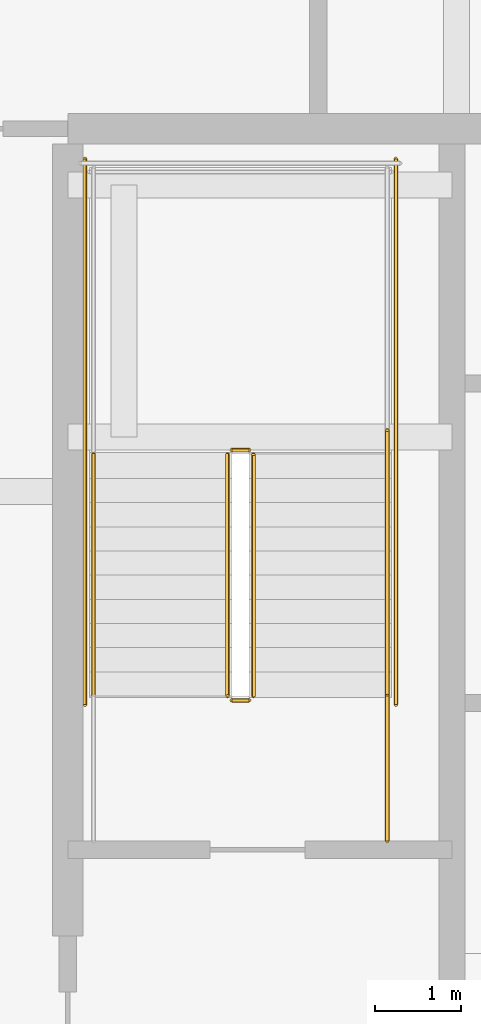
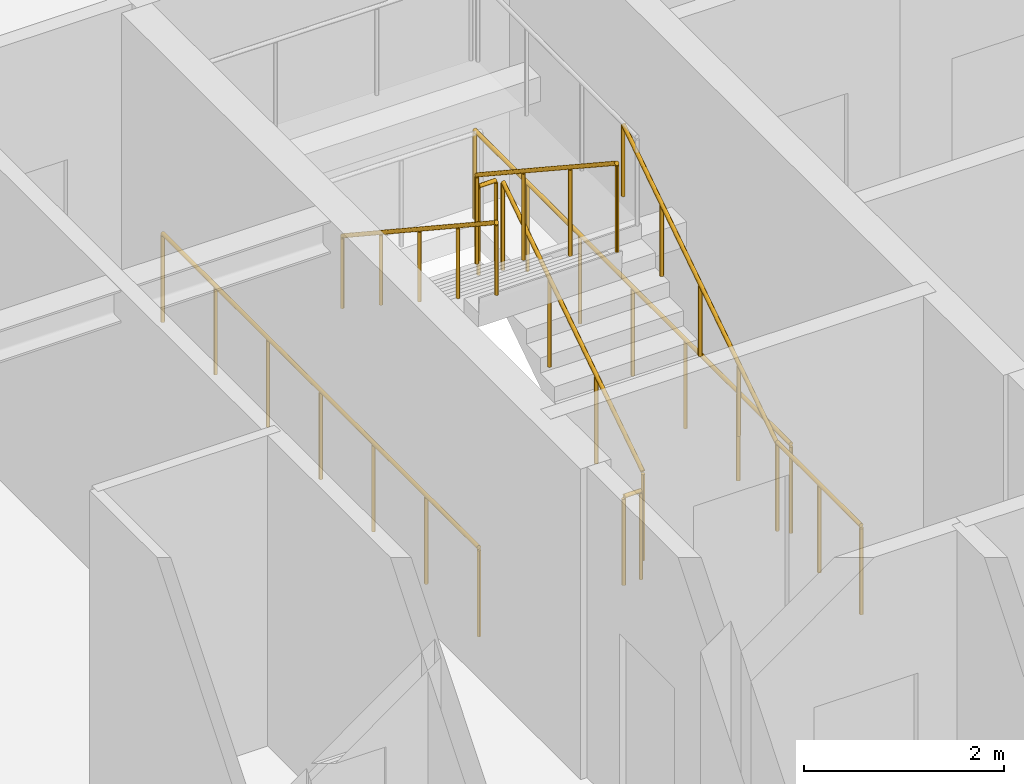
# One storey, part 35 of 38: 9 railings.
"""IFC4 building model written with IfcOpenShell, lengths in metres."""

import ifcopenshell
import ifcopenshell.guid

model = None  # the IFC model being written
_history = None  # IfcOwnerHistory: only IFC2X3 demands one
_inside = {}  # id of a spatial element -> (the spatial element, [elements in it])
_under = {}  # id of a project, library or spatial element -> (it, [spatial elements below it])
_declared = {}  # id of a project -> (the project, [libraries it declares])
_typed = {}  # id of a type object -> (the type object, [elements of that type])
_made_of = {}  # id of a material, layer set ... -> (it, [elements and type objects made of it])


def new_model(schema):
    """Start an empty IFC model of exactly this schema.

    Asked for "IFC4X3", IfcOpenShell would pick the latest addendum, in which some entities
    have other attributes; the version numbers below select the first issue.
    IFC2X3 requires an IfcOwnerHistory on every rooted entity: one is made here for all.
    """
    global model, _history
    if schema == "IFC4X3":
        model = ifcopenshell.file(schema_version=(4, 3, 0, 0))
    else:
        model = ifcopenshell.file(schema=schema)
    _inside.clear()
    _under.clear()
    _declared.clear()
    _typed.clear()
    _made_of.clear()
    _history = None
    if model.schema == "IFC2X3":
        org = make("IfcOrganization", Name="unknown")
        user = make(
            "IfcPersonAndOrganization",
            ThePerson=make("IfcPerson", FamilyName="unknown"),
            TheOrganization=org,
        )
        app = make(
            "IfcApplication",
            ApplicationDeveloper=org,
            Version="unknown",
            ApplicationFullName="unknown",
            ApplicationIdentifier="unknown",
        )
        _history = make(
            "IfcOwnerHistory",
            OwningUser=user,
            OwningApplication=app,
            ChangeAction="ADDED",
            CreationDate=0,
        )
    return model


def make(cls, **values):
    """One entity of the class cls with the attributes given. An attribute that is None is left unset."""
    return model.create_entity(
        cls, **{name: value for name, value in values.items() if value is not None}
    )


def rooted(cls, **values):
    """An entity with a GlobalId (a new one), such as an element, a storey or a relation."""
    return make(cls, GlobalId=ifcopenshell.guid.new(), OwnerHistory=_history, **values)


def si_unit(unit_type, name, prefix=None):
    """IfcSIUnit, for example si_unit("LENGTHUNIT", "METRE", prefix="MILLI")."""
    return make("IfcSIUnit", UnitType=unit_type, Prefix=prefix, Name=name)


def assignment(units):
    """IfcUnitAssignment: the units of a project."""
    return None if units is None else make("IfcUnitAssignment", Units=units)


def point(xyz):
    """IfcCartesianPoint."""
    return None if xyz is None else make("IfcCartesianPoint", Coordinates=xyz)


def direction(xyz):
    """IfcDirection."""
    return None if xyz is None else make("IfcDirection", DirectionRatios=xyz)


def frame(location, z_axis=None, x_axis=None):
    """IfcAxis2Placement3D, a coordinate frame: its origin and axes. An axis left out is left unset."""
    return make(
        "IfcAxis2Placement3D",
        Location=point(location),
        Axis=direction(z_axis),
        RefDirection=direction(x_axis),
    )


def frame_2d(location, x_axis=None):
    """IfcAxis2Placement2D, a coordinate frame in the plane: its origin and x axis."""
    return make(
        "IfcAxis2Placement2D", Location=point(location), RefDirection=direction(x_axis)
    )


def origin():
    """The frame at (0, 0, 0) with its axes left unset."""
    return frame((0.0, 0.0, 0.0))


def origin_2d():
    """The frame at (0, 0) in the plane with its x axis left unset."""
    return frame_2d((0.0, 0.0))


def place(relative_to, where):
    """IfcLocalPlacement: puts the frame where relative to a parent placement (None: the world)."""
    return make(
        "IfcLocalPlacement", PlacementRelTo=relative_to, RelativePlacement=where
    )


def context(
    kind, dimensions, precision=None, world=None, true_north=None, identifier=None
):
    """IfcGeometricRepresentationContext, for example the 3D "Model" context."""
    return make(
        "IfcGeometricRepresentationContext",
        ContextIdentifier=identifier,
        ContextType=kind,
        CoordinateSpaceDimension=dimensions,
        Precision=precision,
        WorldCoordinateSystem=world,
        TrueNorth=true_north,
    )


def subcontext(parent, identifier, kind, view, scale=None):
    """IfcGeometricRepresentationSubContext, for example "Body" below "Model"."""
    return make(
        "IfcGeometricRepresentationSubContext",
        ContextIdentifier=identifier,
        ContextType=kind,
        ParentContext=parent,
        TargetScale=scale,
        TargetView=view,
    )


def project(units=None, contexts=None):
    """IfcProject with its units and contexts."""
    return rooted(
        "IfcProject",
        Name="project",
        RepresentationContexts=contexts,
        UnitsInContext=assignment(units),
    )


def spatial(cls, under=None, at=None, **own):
    """A site, building, storey or space (cls), placed at a placement, below another one or the project."""
    s = rooted(cls, ObjectPlacement=at, **own)
    if under is not None:
        _under.setdefault(under.id(), (under, []))[1].append(s)
    return s


def profile(cls, at=None, kind="AREA", **sizes):
    """A parametric profile (cls). Its sizes go by their IFC names, for example OverallWidth=200.0."""
    return make(cls, ProfileType=kind, Position=at, **sizes)


def circle(**sizes):
    """IfcCircleProfileDef."""
    return profile("IfcCircleProfileDef", **sizes)


def extrude(swept, where, along, depth):
    """IfcExtrudedAreaSolid: the profile swept, set in the frame where, extruded along a direction by depth."""
    return make(
        "IfcExtrudedAreaSolid",
        SweptArea=swept,
        Position=where,
        ExtrudedDirection=direction(along),
        Depth=depth,
    )


def shape(context_of_items, identifier, shape_type, items):
    """IfcShapeRepresentation: the items that make up one representation, for example the "Body"."""
    return make(
        "IfcShapeRepresentation",
        ContextOfItems=context_of_items,
        RepresentationIdentifier=identifier,
        RepresentationType=shape_type,
        Items=items,
    )


def material(Name=None, Category=None):
    """IfcMaterial."""
    return make("IfcMaterial", Name=Name, Category=Category)


def made_of(thing, what):
    """Note that an element or type object is made of a material, layer set ...; save() writes the relation."""
    if what is not None:
        _made_of.setdefault(what.id(), (what, []))[1].append(thing)
    return thing


def type_object(cls, material=None, **own):
    """A type object (cls), such as IfcWallType, which elements share."""
    return made_of(rooted(cls, **own), material)


def element(
    cls,
    number,
    at=None,
    inside=None,
    cuts=None,
    type_object=None,
    material=None,
    context=None,
    identifier="Body",
    shape_type=None,
    held_by="IfcProductDefinitionShape",
    body=None,
    shapes=None,
    **own,
):
    """One element of the class cls, such as IfcWall. Its Tag is "e" and its number.

    at: its placement. inside: the storey or other place that contains it. cuts: it is an
    opening in that element (IfcRelVoidsElement). A single representation is given by context,
    identifier, shape_type and body (its items); several are given by shapes. held_by: the class
    of the entity that holds the representations. save() writes the other relations.
    """
    e = rooted(cls, Tag="e%d" % number, ObjectPlacement=at, **own)
    if body is not None:
        shapes = [shape(context, identifier, shape_type, body)]
    if shapes is not None:
        e.Representation = make(held_by, Representations=shapes)
    if inside is not None:
        _inside.setdefault(inside.id(), (inside, []))[1].append(e)
    if cuts is not None:
        rooted(
            "IfcRelVoidsElement", RelatingBuildingElement=cuts, RelatedOpeningElement=e
        )
    if type_object is not None:
        _typed.setdefault(type_object.id(), (type_object, []))[1].append(e)
    return made_of(e, material)


def aggregate(whole, parts):
    """IfcRelAggregates: a whole, such as a stair, and the parts it consists of."""
    return rooted("IfcRelAggregates", RelatingObject=whole, RelatedObjects=parts)


def save(model, path):
    """Write the relations noted so far, then the file.

    IfcRelAggregates (storeys below a building ...), IfcRelContainedInSpatialStructure (elements
    in a storey), IfcRelDefinesByType, IfcRelAssociatesMaterial and IfcRelDeclares: one each for
    every whole, place, type object, material and project.
    """
    for whole, parts in _under.values():
        aggregate(whole, parts)
    for where, things in _inside.values():
        rooted(
            "IfcRelContainedInSpatialStructure",
            RelatedElements=things,
            RelatingStructure=where,
        )
    for kind, things in _typed.values():
        rooted("IfcRelDefinesByType", RelatedObjects=things, RelatingType=kind)
    for what, things in _made_of.values():
        rooted("IfcRelAssociatesMaterial", RelatedObjects=things, RelatingMaterial=what)
    for by, libraries in _declared.values():
        rooted("IfcRelDeclares", RelatingContext=by, RelatedDefinitions=libraries)
    model.write(path)


model = new_model("IFC4")

# Units and contexts
model_context = context("Model", 3, precision=1e-05, world=origin(), true_north=direction((0.0, 1.0)))
body_context = subcontext(model_context, "Body", "Model", "MODEL_VIEW")
ifc_project = project(units=[si_unit("LENGTHUNIT", "METRE"), si_unit("AREAUNIT", "SQUARE_METRE"), si_unit("VOLUMEUNIT", "CUBIC_METRE"), si_unit("PLANEANGLEUNIT", "RADIAN"), si_unit("MASSUNIT", "GRAM", prefix="KILO")], contexts=[model_context])

# Site, building, storey
site_placement = place(None, origin())
site = spatial("IfcSite", under=ifc_project, at=site_placement, CompositionType="ELEMENT")
building_placement = place(site_placement, origin())
building = spatial("IfcBuilding", under=site, at=building_placement, Name="Serunith Strait Residences", CompositionType="ELEMENT")
storey_placement = place(building_placement, frame((0.0, 0.0, 321.800048828125)))
storey = spatial("IfcBuildingStorey", under=building, at=storey_placement, Name="L80", CompositionType="ELEMENT", Elevation=321.800048828125)

# Railings
ifc_material = material(Name="Brushed stainless steel 316L", Category="steel")
railing_type_1 = type_object("IfcRailingType", Name="RLG-STAIR-GUARD", PredefinedType="BALUSTRADE", material=ifc_material)
railing_1_placement = place(storey_placement, frame((25.550048828125, 27.030029296875, 0.18408203125)))
element("IfcRailing", 1, at=railing_1_placement, inside=storey, type_object=railing_type_1, Name="L80 ST-1 stair guard 1", PredefinedType="BALUSTRADE", context=body_context, shape_type="SweptSolid", body=[
    extrude(circle(Radius=0.02392578125, at=origin_2d()), frame((0.0, 0.001708984375, 1.0771484375), z_axis=(0.0, 0.835597507184, 0.549342157483), x_axis=(-1.0, 0.0, 0.0)), (0.0, 0.0, 1.0), 3.346923828125),
    extrude(circle(Radius=0.02099609375, at=origin_2d()), origin(), (0.0, 0.0, 1.0), 1.050048828125),
    extrude(circle(Radius=0.02099609375, at=origin_2d()), frame((0.0, 0.933349609375, 0.613525390625)), (0.0, 0.0, 1.0), 1.050048828125),
    extrude(circle(Radius=0.02099609375, at=origin_2d()), frame((0.0, 1.86669921875, 1.227294921875)), (0.0, 0.0, 1.0), 1.050048828125),
    extrude(circle(Radius=0.02099609375, at=origin_2d()), frame((0.0, 2.800048828125, 1.8408203125)), (0.0, 0.0, 1.0), 1.050048828125),
])
railing_2_placement = place(storey_placement, frame((25.5, 29.8798828125, 2.02490234375)))
element("IfcRailing", 2, at=railing_2_placement, inside=storey, type_object=railing_type_1, Name="L80 ST-1 stair guard 2", PredefinedType="BALUSTRADE", context=body_context, shape_type="SweptSolid", body=[
    extrude(circle(Radius=0.02392578125, at=origin_2d()), frame((-0.001953125, 0.0, 1.076171875), z_axis=(-1.0, 0.0, 0.0), x_axis=(0.0, -1.0, 0.0)), (0.0, 0.0, 1.0), 0.196044921875),
    extrude(circle(Radius=0.02099609375, at=origin_2d()), origin(), (0.0, 0.0, 1.0), 1.050048828125),
    extrude(circle(Radius=0.02099609375, at=origin_2d()), frame((-0.199951171875, 0.0, 0.0)), (0.0, 0.0, 1.0), 1.050048828125),
])
railing_3_placement = place(storey_placement, frame((25.25, 29.830078125, 2.208984375)))
element("IfcRailing", 3, at=railing_3_placement, inside=storey, type_object=railing_type_1, Name="L80 ST-1 stair guard 6", PredefinedType="BALUSTRADE", context=body_context, shape_type="SweptSolid", body=[
    extrude(circle(Radius=0.02392578125, at=origin_2d()), frame((0.0, -0.001708984375, 1.0771484375), z_axis=(0.0, -0.83556406348, 0.549393024911), x_axis=(1.0, 0.0, 0.0)), (0.0, 0.0, 1.0), 3.34716796875),
    extrude(circle(Radius=0.02099609375, at=origin_2d()), origin(), (0.0, 0.0, 1.0), 1.050048828125),
    extrude(circle(Radius=0.02099609375, at=origin_2d()), frame((0.0, -0.933349609375, 0.61376953125)), (0.0, 0.0, 1.0), 1.050048828125),
    extrude(circle(Radius=0.02099609375, at=origin_2d()), frame((0.0, -1.86669921875, 1.227294921875)), (0.0, 0.0, 1.0), 1.050048828125),
    extrude(circle(Radius=0.02099609375, at=origin_2d()), frame((0.0, -2.800048828125, 1.841064453125)), (0.0, 0.0, 1.0), 1.050048828125),
])
railing_4_placement = place(storey_placement, frame((25.5, 26.97998046875, 0.0)))
element("IfcRailing", 4, at=railing_4_placement, inside=storey, type_object=railing_type_1, Name="L80 ST-1 stair guard 7", PredefinedType="BALUSTRADE", context=body_context, shape_type="SweptSolid", body=[
    extrude(circle(Radius=0.02392578125, at=origin_2d()), frame((-0.001953125, 0.0, 1.076171875), z_axis=(-1.0, 0.0, 0.0), x_axis=(0.0, -1.0, 0.0)), (0.0, 0.0, 1.0), 0.196044921875),
    extrude(circle(Radius=0.02099609375, at=origin_2d()), origin(), (0.0, 0.0, 1.0), 1.050048828125),
    extrude(circle(Radius=0.02099609375, at=origin_2d()), frame((-0.199951171875, 0.0, 0.0)), (0.0, 0.0, 1.0), 1.050048828125),
])
railing_5_placement = place(storey_placement, frame((27.10009765625, 25.35009765625, 0.0)))
element("IfcRailing", 5, at=railing_5_placement, inside=storey, type_object=railing_type_1, Name="L80 ST-1 stair guard 8", PredefinedType="BALUSTRADE", context=body_context, shape_type="SweptSolid", body=[
    extrude(circle(Radius=0.02392578125, at=origin_2d()), frame((0.0, 0.001953125, 1.076171875), z_axis=(0.0, 1.0, 0.0), x_axis=(-1.0, 0.0, 0.0)), (0.0, 0.0, 1.0), 1.676025390625),
    extrude(circle(Radius=0.02099609375, at=origin_2d()), origin(), (0.0, 0.0, 1.0), 1.050048828125),
    extrude(circle(Radius=0.02099609375, at=origin_2d()), frame((0.0, 0.83984375, 0.0)), (0.0, 0.0, 1.0), 1.050048828125),
    extrude(circle(Radius=0.02099609375, at=origin_2d()), frame((0.0, 1.679931640625, 0.0)), (0.0, 0.0, 1.0), 1.050048828125),
])
for number, where, name in (
    (6, (27.199951171875, 26.929931640625, 0.0), "L80 ST-1 stair guard 10"),
    (7, (23.60009765625, 26.929931640625, 0.0), "L80 ST-1 stair guard 11"),
):
    element("IfcRailing", number, at=place(storey_placement, frame(where)), inside=storey, type_object=railing_type_1, Name=name, PredefinedType="BALUSTRADE", context=body_context, shape_type="SweptSolid", body=[
        extrude(circle(Radius=0.02392578125, at=origin_2d()), frame((0.0, 0.001953125, 1.076171875), z_axis=(0.0, 1.0, 0.0), x_axis=(-1.0, 0.0, 0.0)), (0.0, 0.0, 1.0), 6.316162109375),
        extrude(circle(Radius=0.02099609375, at=origin_2d()), origin(), (0.0, 0.0, 1.0), 1.050048828125),
        extrude(circle(Radius=0.02099609375, at=origin_2d()), frame((0.0, 1.05322265625, 0.0)), (0.0, 0.0, 1.0), 1.050048828125),
        extrude(circle(Radius=0.02099609375, at=origin_2d()), frame((0.0, 2.106689453125, 0.0)), (0.0, 0.0, 1.0), 1.050048828125),
        extrude(circle(Radius=0.02099609375, at=origin_2d()), frame((0.0, 3.16015625, 0.0)), (0.0, 0.0, 1.0), 1.050048828125),
        extrude(circle(Radius=0.02099609375, at=origin_2d()), frame((0.0, 4.21337890625, 0.0)), (0.0, 0.0, 1.0), 1.050048828125),
        extrude(circle(Radius=0.02099609375, at=origin_2d()), frame((0.0, 5.2666015625, 0.0)), (0.0, 0.0, 1.0), 1.050048828125),
        extrude(circle(Radius=0.02099609375, at=origin_2d()), frame((0.0, 6.320068359375, 0.0)), (0.0, 0.0, 1.0), 1.050048828125),
    ])
railing_type_2 = type_object("IfcRailingType", Name="RLG-STAIR-HR", PredefinedType="HANDRAIL", material=ifc_material)
railing_6_placement = place(storey_placement, frame((27.10009765625, 27.030029296875, 0.18408203125)))
element("IfcRailing", 8, at=railing_6_placement, inside=storey, type_object=railing_type_2, Name="L80 ST-1 stair handrail 1", PredefinedType="HANDRAIL", context=body_context, shape_type="SweptSolid", body=[
    extrude(circle(Radius=0.02392578125, at=origin_2d()), frame((0.0, 0.001708984375, 0.876953125), z_axis=(0.0, 0.83496096917, 0.550309167616), x_axis=(-1.0, 0.0, 0.0)), (0.0, 0.0, 1.0), 3.684814453125),
    extrude(circle(Radius=0.02099609375, at=origin_2d()), origin(), (0.0, 0.0, 1.0), 0.849853515625),
    extrude(circle(Radius=0.02099609375, at=origin_2d()), frame((0.0, 0.77001953125, 0.507568359375)), (0.0, 0.0, 1.0), 0.849853515625),
    extrude(circle(Radius=0.02099609375, at=origin_2d()), frame((0.0, 1.5400390625, 1.01513671875)), (0.0, 0.0, 1.0), 0.849853515625),
    extrude(circle(Radius=0.02099609375, at=origin_2d()), frame((0.0, 2.31005859375, 1.5224609375)), (0.0, 0.0, 1.0), 0.849853515625),
    extrude(circle(Radius=0.02099609375, at=origin_2d()), frame((0.0, 3.080078125, 2.030029296875)), (0.0, 0.0, 1.0), 0.849853515625),
])
railing_7_placement = place(storey_placement, frame((23.699951171875, 29.830078125, 2.208984375)))
element("IfcRailing", 9, at=railing_7_placement, inside=storey, type_object=railing_type_2, Name="L80 ST-1 stair handrail 2", PredefinedType="HANDRAIL", context=body_context, shape_type="SweptSolid", body=[
    extrude(circle(Radius=0.02392578125, at=origin_2d()), frame((0.0, -0.001708984375, 0.876953125), z_axis=(0.0, -0.83496096917, 0.550309167616), x_axis=(1.0, 0.0, 0.0)), (0.0, 0.0, 1.0), 3.684814453125),
    extrude(circle(Radius=0.02099609375, at=origin_2d()), origin(), (0.0, 0.0, 1.0), 0.849853515625),
    extrude(circle(Radius=0.02099609375, at=origin_2d()), frame((0.0, -0.77001953125, 0.507568359375)), (0.0, 0.0, 1.0), 0.849853515625),
    extrude(circle(Radius=0.02099609375, at=origin_2d()), frame((0.0, -1.5400390625, 1.01513671875)), (0.0, 0.0, 1.0), 0.849853515625),
    extrude(circle(Radius=0.02099609375, at=origin_2d()), frame((0.0, -2.31005859375, 1.5224609375)), (0.0, 0.0, 1.0), 0.849853515625),
    extrude(circle(Radius=0.02099609375, at=origin_2d()), frame((0.0, -3.080078125, 2.030029296875)), (0.0, 0.0, 1.0), 0.849853515625),
])

save(model, "model.ifc")
